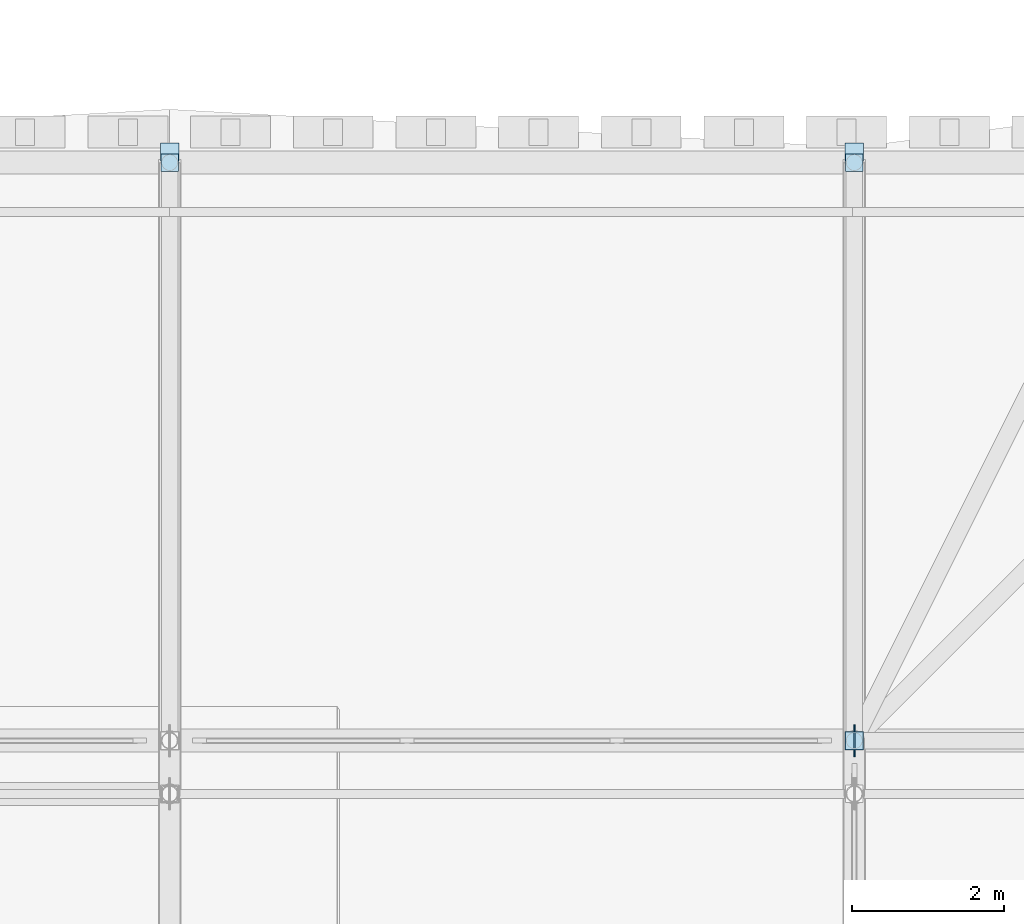
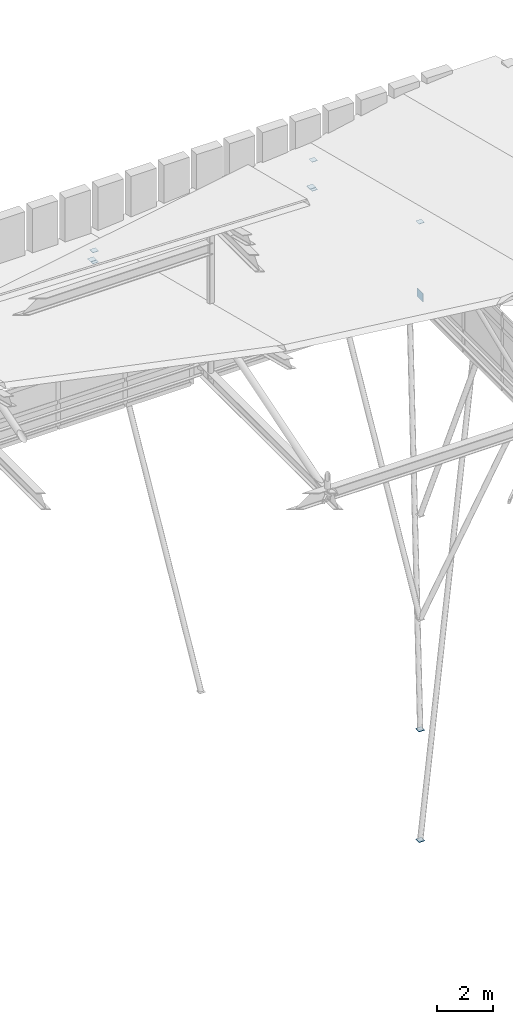
# One storey, part 38 of 42: 10 plates.
"""IFC4 building model written with IfcOpenShell, lengths in metres."""

from ifc_helpers import new_model, si_unit, direction, frame, origin, origin_2d, place, context, subcontext, project, spatial, rectangle, extrude, material, layer, layer_set, type_object, element, save


model = new_model("IFC4")

# Units and contexts
model_context = context("Model", 3, precision=1e-05, world=origin(), true_north=direction((0.0, 1.0)))
body_context = subcontext(model_context, "Body", "Model", "MODEL_VIEW")
ifc_project = project(units=[si_unit("LENGTHUNIT", "METRE"), si_unit("AREAUNIT", "SQUARE_METRE"), si_unit("VOLUMEUNIT", "CUBIC_METRE"), si_unit("PLANEANGLEUNIT", "RADIAN"), si_unit("MASSUNIT", "GRAM", prefix="KILO")], contexts=[model_context])

# Site, building, storey
site_placement = place(None, origin())
site = spatial("IfcSite", under=ifc_project, at=site_placement, CompositionType="ELEMENT")
building_placement = place(site_placement, origin())
building = spatial("IfcBuilding", under=site, at=building_placement, Name="Bozkorgan Art Gallery", CompositionType="ELEMENT")
storey_placement = place(building_placement, frame((0.0, 0.0, 28.800048828125)))
storey = spatial("IfcBuildingStorey", under=building, at=storey_placement, Name="RF", CompositionType="ELEMENT", Elevation=28.800048828125)

# Plates
ifc_material = material(Name="Steel S355J2", Category="steel")
ifc_layer_1 = layer(ifc_material, 0.01611328125, Name="Steel S355J2")
ifc_layer_set_1 = layer_set([ifc_layer_1], Name="Steel S355J2")
plate_type_1 = type_object("IfcPlateType", Name="PLATE-EC-05", PredefinedType="USERDEFINED", material=ifc_layer_set_1)
for number, where, z_axis, x_axis, name in (
    (1, (56.0, 27.60009765625, 0.718505859375), (0.0, 0.0, 1.0), (1.0, 0.0, 0.0), "Truss V1 post cap 7.5"),
    (2, (56.0, 27.60009765625, 0.241943359375), (0.0, 0.0, 1.0), (1.0, 0.0, 0.0), "Truss V1 post base cap 7.5"),
    (3, (65.0, 20.0, 3.42041015625), (0.0, 0.0, 1.0), (1.0, 0.0, 0.0), "Truss V1 post cap 8.4"),
    (4, (65.0, 27.60009765625, 1.49755859375), (0.0, 0.0, 1.0), (1.0, 0.0, 0.0), "Truss V1 post cap 8.5"),
    (5, (65.0, 27.60009765625, 0.241943359375), (0.0, 0.0, 1.0), (1.0, 0.0, 0.0), "Truss V1 post base cap 8.5"),
):
    element("IfcPlate", number, at=place(storey_placement, frame(where, z_axis=z_axis, x_axis=x_axis)), inside=storey, type_object=plate_type_1, Name=name, ObjectType="END CAP PLATE", PredefinedType="USERDEFINED", context=body_context, shape_type="SweptSolid", body=[
        extrude(rectangle(XDim=0.22998046875, YDim=0.22998046875, at=origin_2d()), origin(), (0.0, 0.0, 1.0), 0.01611328125),
    ])
ifc_layer_2 = layer(ifc_material, 0.02001953125, Name="Steel S355J2")
ifc_layer_set_2 = layer_set([ifc_layer_2], Name="Steel S355J2")
plate_type_2 = type_object("IfcPlateType", Name="PLATE-EC-24", PredefinedType="USERDEFINED", material=ifc_layer_set_2)
for number, where, z_axis, x_axis, name in (
    (6, (56.0, 27.739990234375, 0.239990234375), (0.0, 0.0, 1.0), (1.0, 0.0, 0.0), "ROOF-V1-MAIN north swept-eave diagonal tree-strut 7 end cap 2"),
    (7, (65.0, 27.739990234375, 0.239990234375), (0.0, 0.0, 1.0), (1.0, 0.0, 0.0), "ROOF-V1-MAIN north swept-eave diagonal tree-strut 8 end cap 2"),
    (8, (65.0, 20.0, -23.41015625), (0.0, 0.0, 1.0), (1.0, 0.0, 0.0), "ROOF-V1-MAIN northeast corner diagonal tree-strut end cap 1"),
    (9, (65.0, 20.0, -18.610107421875), (0.0, 0.0, 1.0), (1.0, 0.0, 0.0), "ROOF-V1-MAIN northeast mid-overhang diagonal tree-strut end cap 1"),
):
    element("IfcPlate", number, at=place(storey_placement, frame(where, z_axis=z_axis, x_axis=x_axis)), inside=storey, type_object=plate_type_2, Name=name, ObjectType="END CAP PLATE", PredefinedType="USERDEFINED", context=body_context, shape_type="SweptSolid", body=[
        extrude(rectangle(XDim=0.239990234375, YDim=0.239990234375, at=origin_2d()), origin(), (0.0, 0.0, 1.0), 0.02001953125),
    ])
ifc_layer_3 = layer(ifc_material, 0.02001953125, Name="Steel S355J2")
ifc_layer_set_3 = layer_set([ifc_layer_3], Name="Steel S355J2")
plate_type_3 = type_object("IfcPlateType", Name="PLATE-GP-55", PredefinedType="USERDEFINED", material=ifc_layer_set_3)
plate_placement = place(storey_placement, frame((65.0, 20.0, 0.06982421875), z_axis=(0.0, 0.0, 1.0), x_axis=(1.0, 0.0, 0.0)))
element("IfcPlate", 10, at=plate_placement, inside=storey, type_object=plate_type_3, Name="Truss V1 span 8 node gusset TN-4", ObjectType="GUSSET PLATE", PredefinedType="USERDEFINED", context=body_context, shape_type="SweptSolid", body=[
    extrude(rectangle(XDim=0.02001953125, YDim=0.419921875, at=origin_2d()), origin(), (0.0, 0.0, 1.0), 0.360107421875),
])

save(model, "model.ifc")
